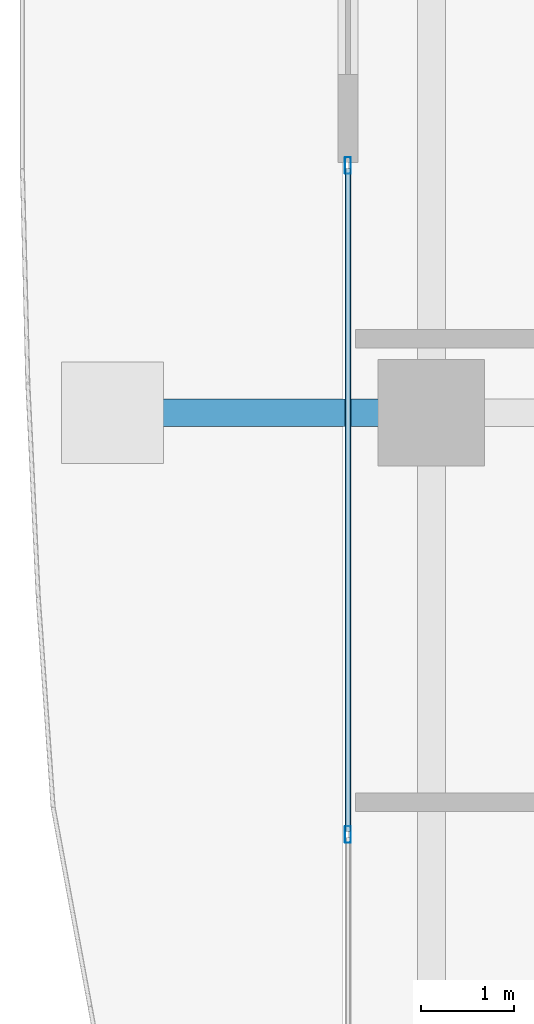
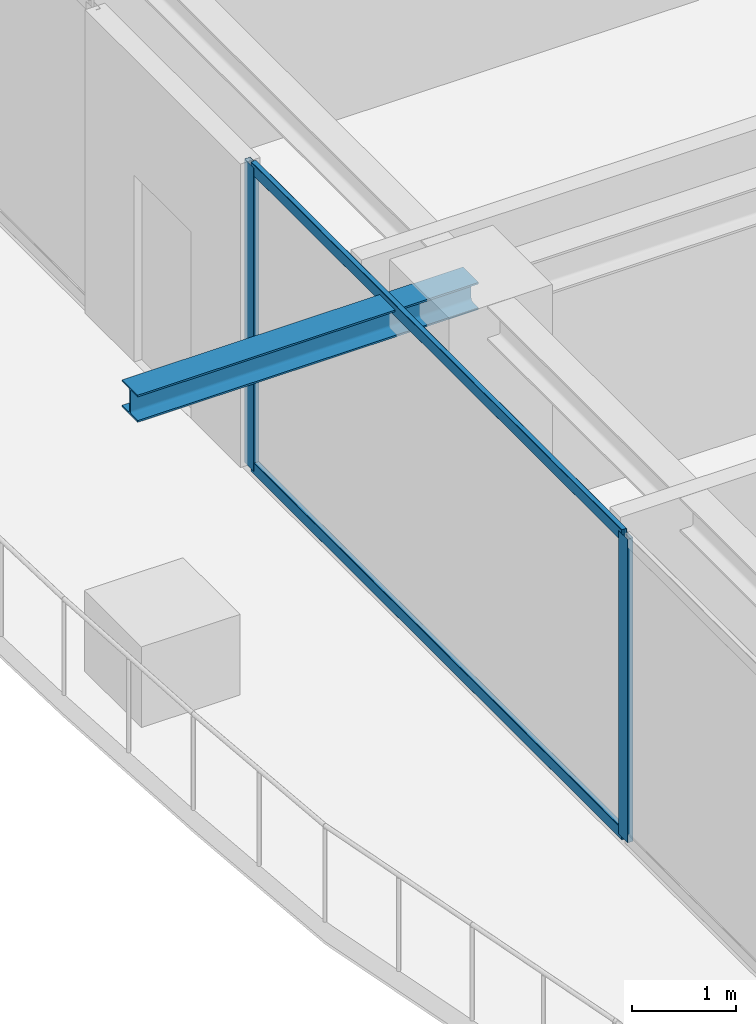
# One storey, part 8 of 38: 4 members, 1 beam, 1 element without a shape of its own.
"""IFC4 building model written with IfcOpenShell, lengths in metres."""

from ifc_helpers import new_model, si_unit, direction, frame, origin, origin_2d, place, context, subcontext, project, spatial, hollow_rectangle, i_section, extrude, source, transform, mapped, material, layer, layer_set, material_profile, profile_set, type_object, element, aggregate, save


model = new_model("IFC4")

# Units and contexts
model_context = context("Model", 3, precision=1e-05, world=origin(), true_north=direction((0.0, 1.0)))
body_context = subcontext(model_context, "Body", "Model", "MODEL_VIEW")
ifc_project = project(units=[si_unit("LENGTHUNIT", "METRE"), si_unit("AREAUNIT", "SQUARE_METRE"), si_unit("VOLUMEUNIT", "CUBIC_METRE"), si_unit("PLANEANGLEUNIT", "RADIAN"), si_unit("MASSUNIT", "GRAM", prefix="KILO")], contexts=[model_context])

# Site, building, storey
site_placement = place(None, origin())
site = spatial("IfcSite", under=ifc_project, at=site_placement, CompositionType="ELEMENT")
building_placement = place(site_placement, origin())
building = spatial("IfcBuilding", under=site, at=building_placement, Name="Serunith Strait Residences", CompositionType="ELEMENT")
storey_placement = place(building_placement, frame((0.0, 0.0, 237.39990234375)))
storey = spatial("IfcBuildingStorey", under=building, at=storey_placement, Name="L59", CompositionType="ELEMENT", Elevation=237.39990234375)

# Beam
ifc_material_1 = material(Name="Steel S355J2", Category="steel")
ifc_material_profile_1 = material_profile(ifc_material_1, i_section(OverallWidth=0.300048828125, OverallDepth=0.320068359375, WebThickness=0.011474609375, FlangeThickness=0.0205078125, FilletRadius=0.027099609375, at=origin_2d()), Name="HEB 320")
ifc_profile_set_1 = profile_set([ifc_material_profile_1], Name="Steel S355J2")
beam_type = type_object("IfcBeamType", Name="BM-HEB320", PredefinedType="BEAM", material=ifc_profile_set_1)
shared_shape_1 = source(origin(), body_context, "Body", "SweptSolid", [
    extrude(i_section(OverallWidth=0.300048828125, OverallDepth=0.320068359375, WebThickness=0.011474609375, FlangeThickness=0.0205078125, FilletRadius=0.027099609375, at=origin_2d()), origin(), (0.0, 0.0, 1.0), 3.800048828125),
])
beam_placement = place(storey_placement, frame((8.300048828125, 21.0, 3.397216796875), z_axis=(-1.0, 0.0, 0.0), x_axis=(0.0, -1.0, 0.0)))
element("IfcBeam", 1, at=beam_placement, inside=storey, type_object=beam_type, Name="L60 Cantilevered Balcony Rib TC-W2", PredefinedType="BEAM", context=body_context, shape_type="MappedRepresentation", body=[
    mapped(shared_shape_1, transform((0.0, 0.0, 0.0), scale=1.0)),
])

# Curtain wall, members
ifc_material_2 = material(Name="Pale-Champagne Anodised Aluminium", Category="aluminium")
ifc_layer = layer(ifc_material_2, 0.199951171875, Name="Pale-Champagne Anodised Aluminium")
ifc_layer_set = layer_set([ifc_layer], Name="Pale-Champagne Anodised Aluminium")
curtain_wall_type = type_object("IfcCurtainWallType", Name="CW-SYS4", PredefinedType="NOTDEFINED", material=ifc_layer_set)
curtain_wall_placement = place(storey_placement, origin())
curtain_wall = element("IfcCurtainWall", 2, at=curtain_wall_placement, inside=storey, type_object=curtain_wall_type, Name="L59 W Unitised Fritted Curtain Wall", PredefinedType="NOTDEFINED")
ifc_material_profile_2 = material_profile(ifc_material_2, hollow_rectangle(XDim=0.06005859375, YDim=0.139892578125, WallThickness=0.00341796875, InnerFilletRadius=0.00537109375, OuterFilletRadius=0.0087890625, at=origin_2d()), Name="ALU 140x60x3.5")
ifc_profile_set_2 = profile_set([ifc_material_profile_2], Name="Pale-Champagne Anodised Aluminium")
member_type_1 = type_object("IfcMemberType", Name="CW-SYS4-TRAN", PredefinedType="USERDEFINED", material=ifc_profile_set_2)
shared_shape_2 = source(origin(), body_context, "Body", "SweptSolid", [
    extrude(hollow_rectangle(XDim=0.06005859375, YDim=0.139892578125, WallThickness=0.00341796875, InnerFilletRadius=0.00537109375, OuterFilletRadius=0.0087890625, at=origin_2d()), origin(), (0.0, 0.0, 1.0), 7.152587890625),
])
member_1_placement = place(storey_placement, frame((7.39990234375, 23.635009765625, 0.030029296875), z_axis=(0.0, -1.0, 0.0), x_axis=(1.0, 0.0, 0.0)))
member_1 = element("IfcMember", 3, at=member_1_placement, type_object=member_type_1, Name="CW-4 transom 1.1", ObjectType="TRANSOM", PredefinedType="USERDEFINED", context=body_context, shape_type="MappedRepresentation", body=[
    mapped(shared_shape_2, transform((0.0, 0.0, 0.0), scale=1.0)),
])
member_2_placement = place(storey_placement, frame((7.39990234375, 23.635009765625, 3.545166015625), z_axis=(0.0, -1.0, 0.0), x_axis=(1.0, 0.0, 0.0)))
member_2 = element("IfcMember", 4, at=member_2_placement, type_object=member_type_1, Name="CW-4 transom 1.2", ObjectType="TRANSOM", PredefinedType="USERDEFINED", context=body_context, shape_type="MappedRepresentation", body=[
    mapped(shared_shape_2, transform((0.0, 0.0, 0.0), scale=1.0)),
])
ifc_material_profile_3 = material_profile(ifc_material_2, hollow_rectangle(XDim=0.06494140625, YDim=0.179931640625, WallThickness=0.00341796875, InnerFilletRadius=0.00537109375, OuterFilletRadius=0.0087890625, at=origin_2d()), Name="ALU 180x65x3.5")
ifc_profile_set_3 = profile_set([ifc_material_profile_3], Name="Pale-Champagne Anodised Aluminium")
member_type_2 = type_object("IfcMemberType", Name="CW-SYS4-MULL", PredefinedType="MULLION", material=ifc_profile_set_3)
shared_shape_3 = source(origin(), body_context, "Body", "SweptSolid", [
    extrude(hollow_rectangle(XDim=0.06494140625, YDim=0.179931640625, WallThickness=0.00341796875, InnerFilletRadius=0.00537109375, OuterFilletRadius=0.0087890625, at=origin_2d()), origin(), (0.0, 0.0, 1.0), 3.5751953125),
])
member_3_placement = place(storey_placement, frame((7.39990234375, 23.66748046875, 0.0), z_axis=(0.0, 0.0, 1.0), x_axis=(1.0, 0.0, 0.0)))
member_3 = element("IfcMember", 5, at=member_3_placement, type_object=member_type_2, Name="CW-4 mullion 1", PredefinedType="MULLION", context=body_context, shape_type="MappedRepresentation", body=[
    mapped(shared_shape_3, transform((0.0, 0.0, 0.0), scale=1.0)),
])
member_4_placement = place(storey_placement, frame((7.39990234375, 16.449951171875, 0.0), z_axis=(0.0, 0.0, 1.0), x_axis=(1.0, 0.0, 0.0)))
member_4 = element("IfcMember", 6, at=member_4_placement, type_object=member_type_2, Name="CW-4 mullion 2", PredefinedType="MULLION", context=body_context, shape_type="MappedRepresentation", body=[
    mapped(shared_shape_3, transform((0.0, 0.0, 0.0), scale=1.0)),
])
aggregate(curtain_wall, [member_3, member_4, member_1, member_2])

save(model, "model.ifc")
